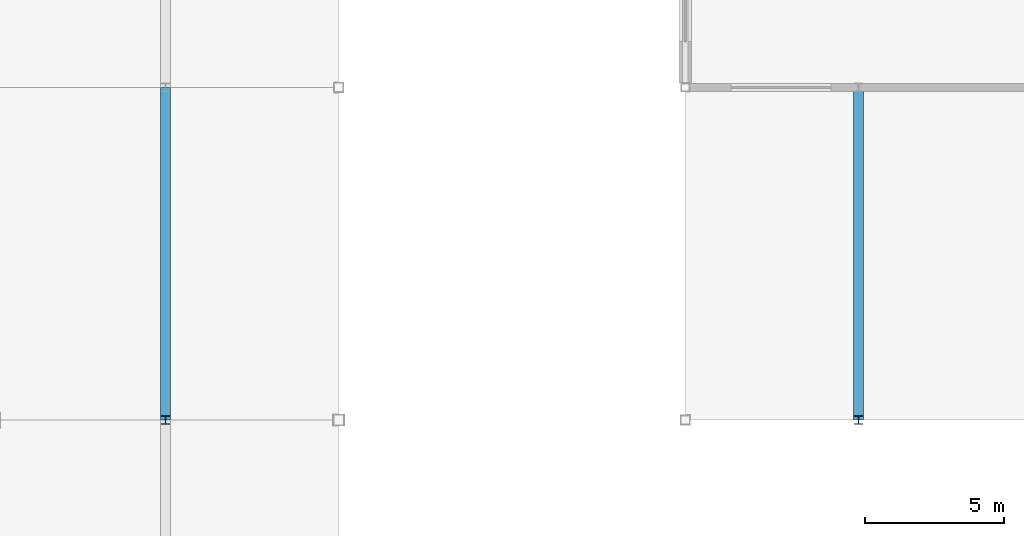
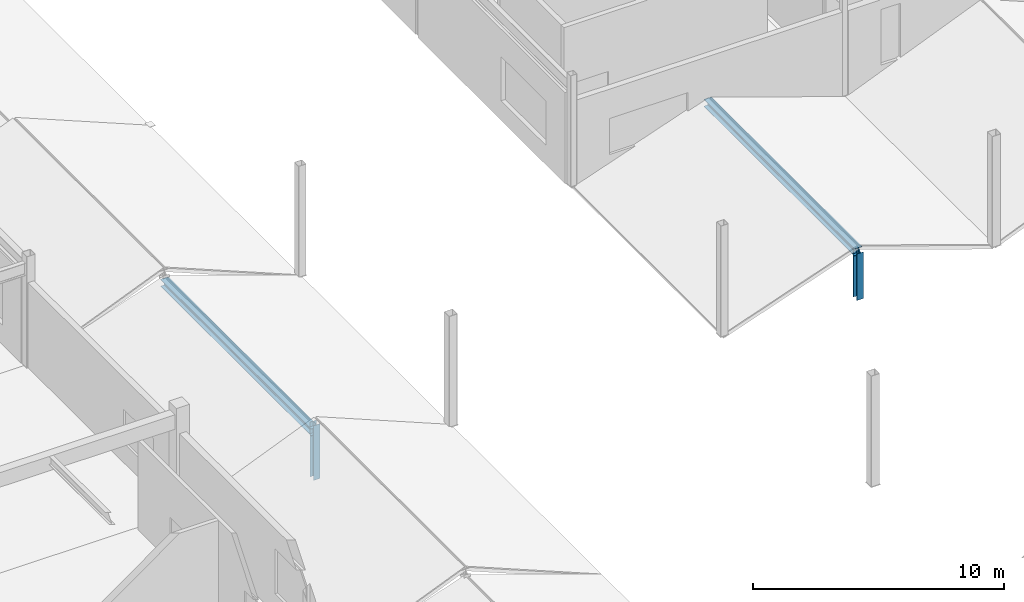
# One storey, part 34 of 76: 4 members.
"""IFC4 building model written with IfcOpenShell, lengths in metres."""

from ifc_helpers import new_model, si_unit, direction, frame, origin, origin_2d, place, context, subcontext, project, spatial, i_section, extrude, material, material_profile, profile_set, type_object, element, save


model = new_model("IFC4")

# Units and contexts
model_context = context("Model", 3, precision=1e-05, world=origin(), true_north=direction((0.0, 1.0)))
body_context = subcontext(model_context, "Body", "Model", "MODEL_VIEW")
ifc_project = project(units=[si_unit("LENGTHUNIT", "METRE"), si_unit("AREAUNIT", "SQUARE_METRE"), si_unit("VOLUMEUNIT", "CUBIC_METRE"), si_unit("PLANEANGLEUNIT", "RADIAN"), si_unit("MASSUNIT", "GRAM", prefix="KILO")], contexts=[model_context])

# Site, building, storey
site_placement = place(None, origin())
site = spatial("IfcSite", under=ifc_project, at=site_placement, CompositionType="ELEMENT")
building_placement = place(site_placement, origin())
building = spatial("IfcBuilding", under=site, at=building_placement, Name="Kazenohara Klinker Stadium", CompositionType="ELEMENT")
storey_placement = place(building_placement, frame((0.0, 0.0, 25.800048828125)))
storey = spatial("IfcBuildingStorey", under=building, at=storey_placement, Name="L05", CompositionType="ELEMENT", Elevation=25.800048828125)

# Members
ifc_material = material(Name="Steel S355", Category="steel")
ifc_material_profile_1 = material_profile(ifc_material, i_section(OverallWidth=0.35009765625, OverallDepth=0.35009765625, WebThickness=0.011962890625, FlangeThickness=0.01904296875, FilletRadius=0.012939453125, at=origin_2d()), Name="H-350x350x12x19")
ifc_profile_set_1 = profile_set([ifc_material_profile_1], Name="Steel S355")
member_type_1 = type_object("IfcMemberType", Name="MEM-CHD02", PredefinedType="CHORD", material=ifc_profile_set_1)
for number, where, z_axis, x_axis, name in (
    (1, (30.25, 132.0, 1.829833984375), (0.0, 1.0, 0.0), (-1.0, 0.0, 0.0), "Stepped pavilion gable ridge beam L05 3/M"),
    (2, (55.25, 132.0, 1.829833984375), (0.0, 1.0, 0.0), (-1.0, 0.0, 0.0), "Stepped pavilion gable ridge beam L05 5/M"),
):
    element("IfcMember", number, at=place(storey_placement, frame(where, z_axis=z_axis, x_axis=x_axis)), inside=storey, type_object=member_type_1, Name=name, PredefinedType="CHORD", context=body_context, shape_type="SweptSolid", body=[
        extrude(i_section(OverallWidth=0.35009765625, OverallDepth=0.35009765625, WebThickness=0.011962890625, FlangeThickness=0.01904296875, FilletRadius=0.012939453125, at=origin_2d()), origin(), (0.0, 0.0, 1.0), 12.0),
    ])
ifc_material_profile_2 = material_profile(ifc_material, i_section(OverallWidth=0.300048828125, OverallDepth=0.300048828125, WebThickness=0.010009765625, FlangeThickness=0.014892578125, FilletRadius=0.012939453125, at=origin_2d()), Name="H-300x300x10x15")
ifc_profile_set_2 = profile_set([ifc_material_profile_2], Name="Steel S355")
member_type_2 = type_object("IfcMemberType", Name="MEM-STR01", PredefinedType="STRUT", material=ifc_profile_set_2)
member_1_placement = place(storey_placement, frame((30.25, 132.0, -0.429931640625), z_axis=(0.0, 0.0, 1.0), x_axis=(1.0, 0.0, 0.0)))
element("IfcMember", 3, at=member_1_placement, inside=storey, type_object=member_type_2, Name="Stepped pavilion gable king-post L05 3/L N", PredefinedType="STRUT", context=body_context, shape_type="SweptSolid", body=[
    extrude(i_section(OverallWidth=0.300048828125, OverallDepth=0.300048828125, WebThickness=0.010009765625, FlangeThickness=0.014892578125, FilletRadius=0.012939453125, at=origin_2d()), origin(), (0.0, 0.0, 1.0), 2.659912109375),
])
member_2_placement = place(storey_placement, frame((55.25, 132.0, -0.429931640625), z_axis=(0.0, 0.0, 1.0), x_axis=(1.0, 0.0, 0.0)))
element("IfcMember", 4, at=member_2_placement, inside=storey, type_object=member_type_2, Name="Stepped pavilion gable king-post L05 5/M S", PredefinedType="STRUT", context=body_context, shape_type="SweptSolid", body=[
    extrude(i_section(OverallWidth=0.300048828125, OverallDepth=0.300048828125, WebThickness=0.010009765625, FlangeThickness=0.014892578125, FilletRadius=0.012939453125, at=origin_2d()), origin(), (0.0, 0.0, 1.0), 2.259765625),
])

save(model, "model.ifc")
